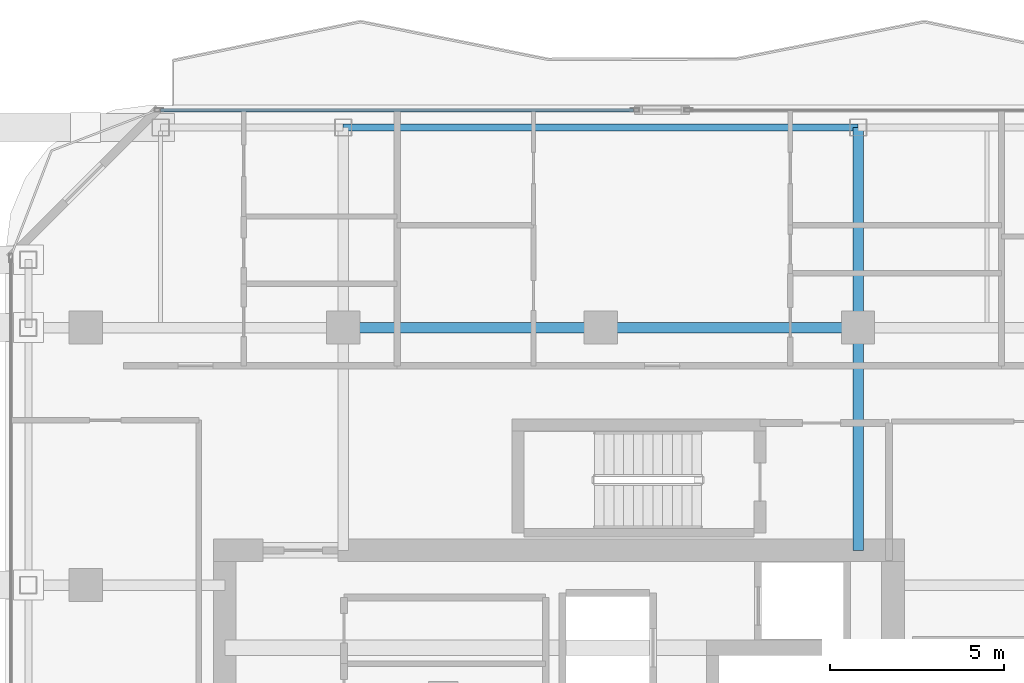
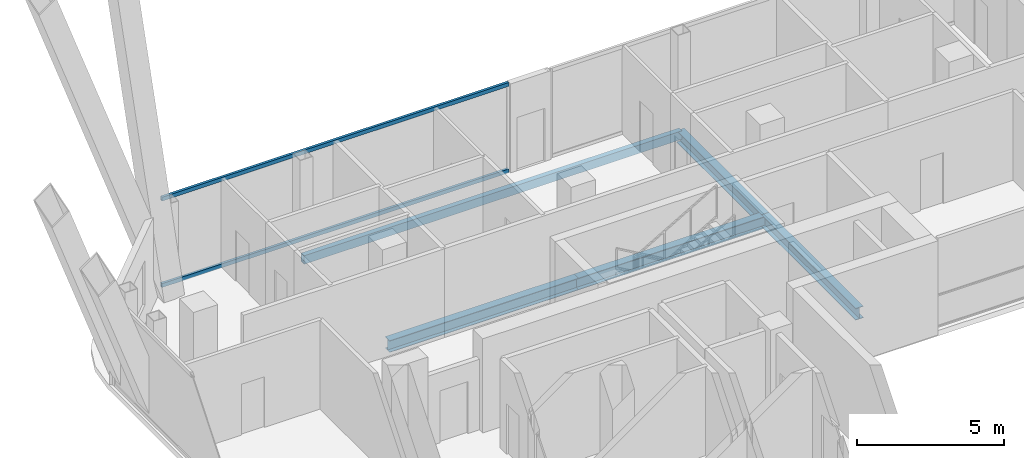
# One storey, part 13 of 27: 5 beams, 2 members, 1 element without a shape of its own.
"""IFC4 building model written with IfcOpenShell, lengths in metres."""

import ifcopenshell
import ifcopenshell.guid

model = None  # the IFC model being written
_history = None  # IfcOwnerHistory: only IFC2X3 demands one
_inside = {}  # id of a spatial element -> (the spatial element, [elements in it])
_under = {}  # id of a project, library or spatial element -> (it, [spatial elements below it])
_declared = {}  # id of a project -> (the project, [libraries it declares])
_typed = {}  # id of a type object -> (the type object, [elements of that type])
_made_of = {}  # id of a material, layer set ... -> (it, [elements and type objects made of it])


def new_model(schema):
    """Start an empty IFC model of exactly this schema.

    Asked for "IFC4X3", IfcOpenShell would pick the latest addendum, in which some entities
    have other attributes; the version numbers below select the first issue.
    IFC2X3 requires an IfcOwnerHistory on every rooted entity: one is made here for all.
    """
    global model, _history
    if schema == "IFC4X3":
        model = ifcopenshell.file(schema_version=(4, 3, 0, 0))
    else:
        model = ifcopenshell.file(schema=schema)
    _inside.clear()
    _under.clear()
    _declared.clear()
    _typed.clear()
    _made_of.clear()
    _history = None
    if model.schema == "IFC2X3":
        org = make("IfcOrganization", Name="unknown")
        user = make(
            "IfcPersonAndOrganization",
            ThePerson=make("IfcPerson", FamilyName="unknown"),
            TheOrganization=org,
        )
        app = make(
            "IfcApplication",
            ApplicationDeveloper=org,
            Version="unknown",
            ApplicationFullName="unknown",
            ApplicationIdentifier="unknown",
        )
        _history = make(
            "IfcOwnerHistory",
            OwningUser=user,
            OwningApplication=app,
            ChangeAction="ADDED",
            CreationDate=0,
        )
    return model


def make(cls, **values):
    """One entity of the class cls with the attributes given. An attribute that is None is left unset."""
    return model.create_entity(
        cls, **{name: value for name, value in values.items() if value is not None}
    )


def rooted(cls, **values):
    """An entity with a GlobalId (a new one), such as an element, a storey or a relation."""
    return make(cls, GlobalId=ifcopenshell.guid.new(), OwnerHistory=_history, **values)


def si_unit(unit_type, name, prefix=None):
    """IfcSIUnit, for example si_unit("LENGTHUNIT", "METRE", prefix="MILLI")."""
    return make("IfcSIUnit", UnitType=unit_type, Prefix=prefix, Name=name)


def assignment(units):
    """IfcUnitAssignment: the units of a project."""
    return None if units is None else make("IfcUnitAssignment", Units=units)


def point(xyz):
    """IfcCartesianPoint."""
    return None if xyz is None else make("IfcCartesianPoint", Coordinates=xyz)


def direction(xyz):
    """IfcDirection."""
    return None if xyz is None else make("IfcDirection", DirectionRatios=xyz)


def frame(location, z_axis=None, x_axis=None):
    """IfcAxis2Placement3D, a coordinate frame: its origin and axes. An axis left out is left unset."""
    return make(
        "IfcAxis2Placement3D",
        Location=point(location),
        Axis=direction(z_axis),
        RefDirection=direction(x_axis),
    )


def frame_2d(location, x_axis=None):
    """IfcAxis2Placement2D, a coordinate frame in the plane: its origin and x axis."""
    return make(
        "IfcAxis2Placement2D", Location=point(location), RefDirection=direction(x_axis)
    )


def origin():
    """The frame at (0, 0, 0) with its axes left unset."""
    return frame((0.0, 0.0, 0.0))


def origin_2d():
    """The frame at (0, 0) in the plane with its x axis left unset."""
    return frame_2d((0.0, 0.0))


def place(relative_to, where):
    """IfcLocalPlacement: puts the frame where relative to a parent placement (None: the world)."""
    return make(
        "IfcLocalPlacement", PlacementRelTo=relative_to, RelativePlacement=where
    )


def context(
    kind, dimensions, precision=None, world=None, true_north=None, identifier=None
):
    """IfcGeometricRepresentationContext, for example the 3D "Model" context."""
    return make(
        "IfcGeometricRepresentationContext",
        ContextIdentifier=identifier,
        ContextType=kind,
        CoordinateSpaceDimension=dimensions,
        Precision=precision,
        WorldCoordinateSystem=world,
        TrueNorth=true_north,
    )


def subcontext(parent, identifier, kind, view, scale=None):
    """IfcGeometricRepresentationSubContext, for example "Body" below "Model"."""
    return make(
        "IfcGeometricRepresentationSubContext",
        ContextIdentifier=identifier,
        ContextType=kind,
        ParentContext=parent,
        TargetScale=scale,
        TargetView=view,
    )


def project(units=None, contexts=None):
    """IfcProject with its units and contexts."""
    return rooted(
        "IfcProject",
        Name="project",
        RepresentationContexts=contexts,
        UnitsInContext=assignment(units),
    )


def spatial(cls, under=None, at=None, **own):
    """A site, building, storey or space (cls), placed at a placement, below another one or the project."""
    s = rooted(cls, ObjectPlacement=at, **own)
    if under is not None:
        _under.setdefault(under.id(), (under, []))[1].append(s)
    return s


def profile(cls, at=None, kind="AREA", **sizes):
    """A parametric profile (cls). Its sizes go by their IFC names, for example OverallWidth=200.0."""
    return make(cls, ProfileType=kind, Position=at, **sizes)


def hollow_rectangle(**sizes):
    """IfcRectangleHollowProfileDef."""
    return profile("IfcRectangleHollowProfileDef", **sizes)


def i_section(**sizes):
    """IfcIShapeProfileDef."""
    return profile("IfcIShapeProfileDef", **sizes)


def extrude(swept, where, along, depth):
    """IfcExtrudedAreaSolid: the profile swept, set in the frame where, extruded along a direction by depth."""
    return make(
        "IfcExtrudedAreaSolid",
        SweptArea=swept,
        Position=where,
        ExtrudedDirection=direction(along),
        Depth=depth,
    )


def shape(context_of_items, identifier, shape_type, items):
    """IfcShapeRepresentation: the items that make up one representation, for example the "Body"."""
    return make(
        "IfcShapeRepresentation",
        ContextOfItems=context_of_items,
        RepresentationIdentifier=identifier,
        RepresentationType=shape_type,
        Items=items,
    )


def material(Name=None, Category=None):
    """IfcMaterial."""
    return make("IfcMaterial", Name=Name, Category=Category)


def layer(
    of_material, thickness, ventilated=None, Name=None, Category=None, Priority=None
):
    """IfcMaterialLayer: one layer of a wall or slab, of a material (None: an air gap)."""
    return make(
        "IfcMaterialLayer",
        Material=of_material,
        LayerThickness=thickness,
        IsVentilated=ventilated,
        Name=Name,
        Category=Category,
        Priority=Priority,
    )


def layer_set(layers, Name=None):
    """IfcMaterialLayerSet."""
    return make("IfcMaterialLayerSet", MaterialLayers=layers, LayerSetName=Name)


def material_profile(
    of_material, cross_section, Name=None, Category=None, Priority=None
):
    """IfcMaterialProfile: a cross section and its material."""
    return make(
        "IfcMaterialProfile",
        Name=Name,
        Material=of_material,
        Profile=cross_section,
        Priority=Priority,
        Category=Category,
    )


def profile_set(profiles, Name=None, composite=None):
    """IfcMaterialProfileSet."""
    return make(
        "IfcMaterialProfileSet",
        Name=Name,
        MaterialProfiles=profiles,
        CompositeProfile=composite,
    )


def made_of(thing, what):
    """Note that an element or type object is made of a material, layer set ...; save() writes the relation."""
    if what is not None:
        _made_of.setdefault(what.id(), (what, []))[1].append(thing)
    return thing


def type_object(cls, material=None, **own):
    """A type object (cls), such as IfcWallType, which elements share."""
    return made_of(rooted(cls, **own), material)


def element(
    cls,
    number,
    at=None,
    inside=None,
    cuts=None,
    type_object=None,
    material=None,
    context=None,
    identifier="Body",
    shape_type=None,
    held_by="IfcProductDefinitionShape",
    body=None,
    shapes=None,
    **own,
):
    """One element of the class cls, such as IfcWall. Its Tag is "e" and its number.

    at: its placement. inside: the storey or other place that contains it. cuts: it is an
    opening in that element (IfcRelVoidsElement). A single representation is given by context,
    identifier, shape_type and body (its items); several are given by shapes. held_by: the class
    of the entity that holds the representations. save() writes the other relations.
    """
    e = rooted(cls, Tag="e%d" % number, ObjectPlacement=at, **own)
    if body is not None:
        shapes = [shape(context, identifier, shape_type, body)]
    if shapes is not None:
        e.Representation = make(held_by, Representations=shapes)
    if inside is not None:
        _inside.setdefault(inside.id(), (inside, []))[1].append(e)
    if cuts is not None:
        rooted(
            "IfcRelVoidsElement", RelatingBuildingElement=cuts, RelatedOpeningElement=e
        )
    if type_object is not None:
        _typed.setdefault(type_object.id(), (type_object, []))[1].append(e)
    return made_of(e, material)


def aggregate(whole, parts):
    """IfcRelAggregates: a whole, such as a stair, and the parts it consists of."""
    return rooted("IfcRelAggregates", RelatingObject=whole, RelatedObjects=parts)


def save(model, path):
    """Write the relations noted so far, then the file.

    IfcRelAggregates (storeys below a building ...), IfcRelContainedInSpatialStructure (elements
    in a storey), IfcRelDefinesByType, IfcRelAssociatesMaterial and IfcRelDeclares: one each for
    every whole, place, type object, material and project.
    """
    for whole, parts in _under.values():
        aggregate(whole, parts)
    for where, things in _inside.values():
        rooted(
            "IfcRelContainedInSpatialStructure",
            RelatedElements=things,
            RelatingStructure=where,
        )
    for kind, things in _typed.values():
        rooted("IfcRelDefinesByType", RelatedObjects=things, RelatingType=kind)
    for what, things in _made_of.values():
        rooted("IfcRelAssociatesMaterial", RelatedObjects=things, RelatingMaterial=what)
    for by, libraries in _declared.values():
        rooted("IfcRelDeclares", RelatingContext=by, RelatedDefinitions=libraries)
    model.write(path)


model = new_model("IFC4")

# Units and contexts
model_context = context("Model", 3, precision=1e-05, world=origin(), true_north=direction((0.0, 1.0)))
body_context = subcontext(model_context, "Body", "Model", "MODEL_VIEW")
ifc_project = project(units=[si_unit("LENGTHUNIT", "METRE"), si_unit("AREAUNIT", "SQUARE_METRE"), si_unit("VOLUMEUNIT", "CUBIC_METRE"), si_unit("PLANEANGLEUNIT", "RADIAN"), si_unit("MASSUNIT", "GRAM", prefix="KILO")], contexts=[model_context])

# Site, building, storey
site_placement = place(None, origin())
site = spatial("IfcSite", under=ifc_project, at=site_placement, CompositionType="ELEMENT")
building_placement = place(site_placement, origin())
building = spatial("IfcBuilding", under=site, at=building_placement, Name="Khorvyn Point Tower", CompositionType="ELEMENT")
storey_placement = place(building_placement, frame((0.0, 0.0, 270.300048828125)))
storey = spatial("IfcBuildingStorey", under=building, at=storey_placement, Name="L66", CompositionType="ELEMENT", Elevation=270.300048828125)

# Curtain wall, members
ifc_material_1 = material(Name="Anodised aluminium 6063-T6 and laminated Low-E glass", Category="aluminium")
ifc_layer = layer(ifc_material_1, 0.18994140625)
ifc_layer_set = layer_set([ifc_layer], Name="Stick-Built High-Wind Curtain Wall CW-SYS-04")
curtain_wall_type = type_object("IfcCurtainWallType", Name="Stick-Built High-Wind Curtain Wall CW-SYS-04", PredefinedType="NOTDEFINED", material=ifc_layer_set)
curtain_wall_placement = place(storey_placement, origin())
curtain_wall = element("IfcCurtainWall", 1, at=curtain_wall_placement, inside=storey, type_object=curtain_wall_type, Name="Curtain Wall", PredefinedType="NOTDEFINED")
ifc_material_2 = material(Name="Anodised aluminium 6063-T6", Category="aluminium")
ifc_material_profile_1 = material_profile(ifc_material_2, hollow_rectangle(XDim=0.10009765625, YDim=0.159912109375, WallThickness=0.00439453125, at=origin_2d()))
ifc_profile_set_1 = profile_set([ifc_material_profile_1], Name="Anodised aluminium 6063-T6 ALU-TRN-100x160")
member_type = type_object("IfcMemberType", Name="Anodised Aluminium 6063-T6 Transom ALU-TRN-100x160", PredefinedType="USERDEFINED", material=ifc_profile_set_1)
member_1_placement = place(storey_placement, frame((-12.64990234375, 21.050048828125, 0.050048828125), z_axis=(1.0, 0.0, 0.0), x_axis=(0.0, 1.0, 0.0)))
member_1 = element("IfcMember", 2, at=member_1_placement, type_object=member_type, Name="Transom", ObjectType="TRANSOM", PredefinedType="USERDEFINED", context=body_context, shape_type="SweptSolid", body=[
    extrude(hollow_rectangle(XDim=0.10009765625, YDim=0.159912109375, WallThickness=0.00439453125, at=origin_2d()), origin(), (0.0, 0.0, 1.0), 13.5869140625),
])
member_2_placement = place(storey_placement, frame((-12.64990234375, 21.050048828125, 3.6298828125), z_axis=(1.0, 0.0, 0.0), x_axis=(0.0, 1.0, 0.0)))
member_2 = element("IfcMember", 3, at=member_2_placement, type_object=member_type, Name="Transom", ObjectType="TRANSOM", PredefinedType="USERDEFINED", context=body_context, shape_type="SweptSolid", body=[
    extrude(hollow_rectangle(XDim=0.10009765625, YDim=0.159912109375, WallThickness=0.00439453125, at=origin_2d()), origin(), (0.0, 0.0, 1.0), 13.5869140625),
])
aggregate(curtain_wall, [member_1, member_2])

# Beams
ifc_material_3 = material(Name="Steel S355", Category="steel")
ifc_material_profile_2 = material_profile(ifc_material_3, i_section(OverallWidth=0.300048828125, OverallDepth=0.488037109375, WebThickness=0.010986328125, FlangeThickness=0.01806640625, at=origin_2d()))
ifc_profile_set_2 = profile_set([ifc_material_profile_2], Name="Steel S355 H488x300x11x18")
beam_type_1 = type_object("IfcBeamType", Name="Steel S355 Spandrel H488x300x11x18", PredefinedType="SPANDREL", material=ifc_profile_set_2)
for number, where, z_axis, x_axis, name in (
    (4, (-7.39990234375, 14.800048828125, -0.464111328125), (1.0, 0.0, 0.0), (0.0, 1.0, 0.0), "Beam"),
    (5, (0.0, 14.800048828125, -0.464111328125), (1.0, 0.0, 0.0), (0.0, 1.0, 0.0), "Beam"),
):
    element("IfcBeam", number, at=place(storey_placement, frame(where, z_axis=z_axis, x_axis=x_axis)), inside=storey, type_object=beam_type_1, Name=name, PredefinedType="SPANDREL", context=body_context, shape_type="SweptSolid", body=[
        extrude(i_section(OverallWidth=0.300048828125, OverallDepth=0.488037109375, WebThickness=0.010986328125, FlangeThickness=0.01806640625, at=origin_2d()), origin(), (0.0, 0.0, 1.0), 7.39990234375),
    ])
beam_1_placement = place(storey_placement, frame((7.39990234375, 8.39990234375, -0.464111328125), z_axis=(0.0, 1.0, 0.0), x_axis=(-1.0, 0.0, 0.0)))
element("IfcBeam", 6, at=beam_1_placement, inside=storey, type_object=beam_type_1, Name="Beam", PredefinedType="SPANDREL", context=body_context, shape_type="SweptSolid", body=[
    extrude(i_section(OverallWidth=0.300048828125, OverallDepth=0.488037109375, WebThickness=0.010986328125, FlangeThickness=0.01806640625, at=origin_2d()), origin(), (0.0, 0.0, 1.0), 6.400146484375),
])
beam_2_placement = place(storey_placement, frame((7.39990234375, 14.800048828125, -0.464111328125), z_axis=(0.0, 1.0, 0.0), x_axis=(-1.0, 0.0, 0.0)))
element("IfcBeam", 7, at=beam_2_placement, inside=storey, type_object=beam_type_1, Name="Beam", PredefinedType="SPANDREL", context=body_context, shape_type="SweptSolid", body=[
    extrude(i_section(OverallWidth=0.300048828125, OverallDepth=0.488037109375, WebThickness=0.010986328125, FlangeThickness=0.01806640625, at=origin_2d()), origin(), (0.0, 0.0, 1.0), 5.75),
])
ifc_material_profile_3 = material_profile(ifc_material_3, hollow_rectangle(XDim=0.199951171875, YDim=0.35009765625, WallThickness=0.013916015625, at=origin_2d()))
ifc_profile_set_3 = profile_set([ifc_material_profile_3], Name="Steel S355 RHS350x200x14")
beam_type_2 = type_object("IfcBeamType", Name="Steel S355 Spandrel RHS350x200x14", PredefinedType="SPANDREL", material=ifc_profile_set_3)
beam_3_placement = place(storey_placement, frame((-7.39990234375, 20.550048828125, -0.39501953125), z_axis=(1.0, 0.0, 0.0), x_axis=(0.0, 1.0, 0.0)))
element("IfcBeam", 8, at=beam_3_placement, inside=storey, type_object=beam_type_2, Name="Beam", PredefinedType="SPANDREL", context=body_context, shape_type="SweptSolid", body=[
    extrude(hollow_rectangle(XDim=0.199951171875, YDim=0.35009765625, WallThickness=0.013916015625, at=origin_2d()), origin(), (0.0, 0.0, 1.0), 14.7998046875),
])

save(model, "model.ifc")
